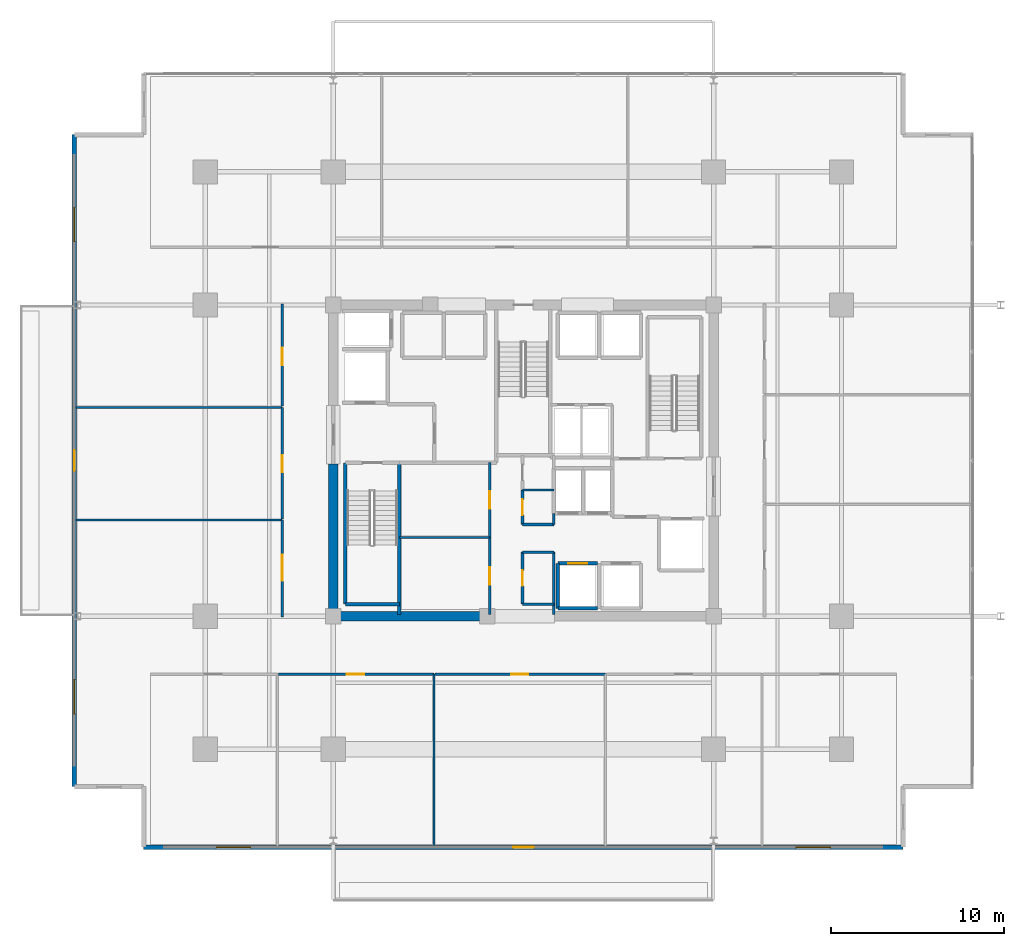
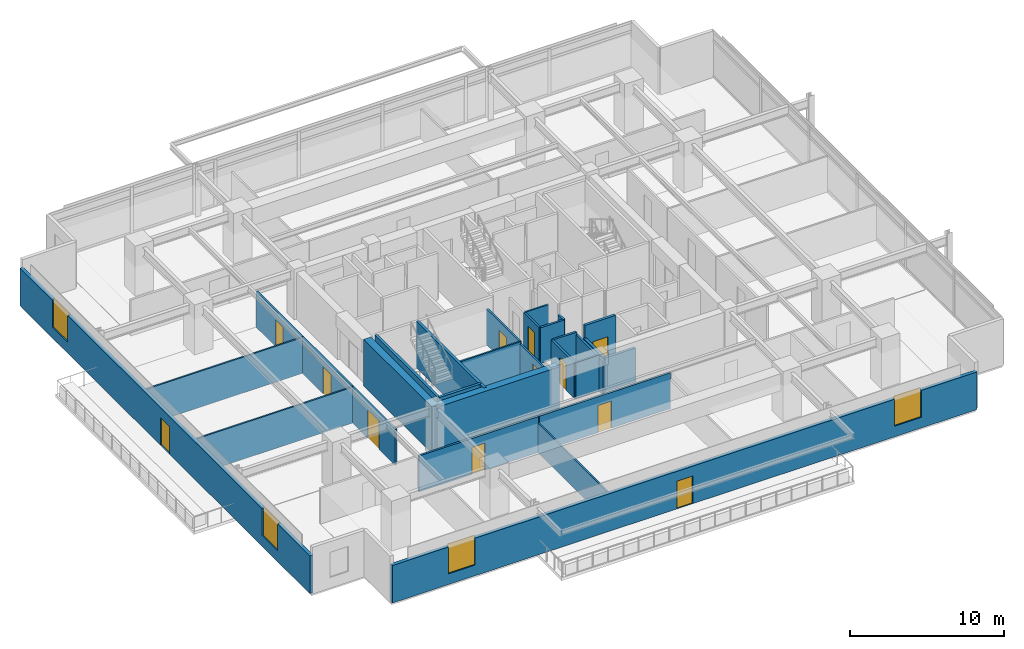
# One storey, part 14 of 22: 29 walls, 12 doors, 4 windows, 16 openings.
"""IFC4 building model written with IfcOpenShell, lengths in metres."""

from ifc_helpers import new_model, si_unit, direction, frame, frame_2d, origin, place, context, subcontext, project, spatial, rectangle, extrude, material, layer, layer_set, type_object, element, fill, save


model = new_model("IFC4")

# Units and contexts
model_context = context("Model", 3, precision=1e-05, world=origin(), true_north=direction((0.0, 1.0)))
body_context = subcontext(model_context, "Body", "Model", "MODEL_VIEW")
ifc_project = project(units=[si_unit("LENGTHUNIT", "METRE"), si_unit("AREAUNIT", "SQUARE_METRE"), si_unit("VOLUMEUNIT", "CUBIC_METRE"), si_unit("PLANEANGLEUNIT", "RADIAN"), si_unit("MASSUNIT", "GRAM", prefix="KILO")], contexts=[model_context])

# Site, building, storey
site_placement = place(None, origin())
site = spatial("IfcSite", under=ifc_project, at=site_placement, CompositionType="ELEMENT")
building_placement = place(site_placement, origin())
building = spatial("IfcBuilding", under=site, at=building_placement, Name="Kovane Verandah Tower", CompositionType="ELEMENT")
storey_placement = place(building_placement, frame((0.0, 0.0, 229.199951171875)))
storey = spatial("IfcBuildingStorey", under=building, at=storey_placement, Name="L53", CompositionType="ELEMENT", Elevation=229.199951171875)

# Walls
ifc_material_1 = material(Name="Fire-Rated Gypsum Stud Partition", Category="gypsum")
ifc_layer_1 = layer(ifc_material_1, 0.14990234375)
ifc_layer_set_1 = layer_set([ifc_layer_1], Name="Fire-Rated Gypsum Stud Partition")
wall_type_1 = type_object("IfcWallType", Name="WL-COR-150", PredefinedType="PARTITIONING", material=ifc_layer_set_1)
for number, where, z_axis, x_axis, name in (
    (1, (39.949951171875, 19.199951171875, 0.0), (0.0, 0.0, 1.0), (1.0, 0.0, 0.0), "L53 Central Core Strip South Wall"),
    (2, (39.949951171875, 22.199951171875, 0.0), (0.0, 0.0, 1.0), (1.0, 0.0, 0.0), "L53 Core Cross-Passage South Wall"),
    (3, (39.949951171875, 23.800048828125, 0.0), (0.0, 0.0, 1.0), (1.0, 0.0, 0.0), "L53 Core Cross-Passage North Wall"),
):
    element("IfcWall", number, at=place(storey_placement, frame(where, z_axis=z_axis, x_axis=x_axis)), inside=storey, type_object=wall_type_1, Name=name, PredefinedType="PARTITIONING", context=body_context, shape_type="SweptSolid", body=[
        extrude(rectangle(XDim=1.81005859375, YDim=0.14990234375, at=frame_2d((0.905029296875, 0.0))), origin(), (0.0, 0.0, 1.0), 2.85009765625),
    ])
wall_1_placement = place(storey_placement, frame((41.760009765625, 18.60009765625, 0.0), z_axis=(0.0, 0.0, 1.0), x_axis=(0.0, 1.0, 0.0)))
element("IfcWall", 4, at=wall_1_placement, inside=storey, type_object=wall_type_1, Name="L53 Central Core Strip Lower East Wall", PredefinedType="PARTITIONING", context=body_context, shape_type="SweptSolid", body=[
    extrude(rectangle(XDim=3.599853515625, YDim=0.14990234375, at=frame_2d((1.7998046875, 0.0))), origin(), (0.0, 0.0, 1.0), 2.679931640625),
])
wall_2_placement = place(storey_placement, frame((41.760009765625, 23.800048828125, 0.0), z_axis=(0.0, 0.0, 1.0), x_axis=(0.0, 1.0, 0.0)))
element("IfcWall", 5, at=wall_2_placement, inside=storey, type_object=wall_type_1, Name="L53 Central Core Strip Middle East Wall", PredefinedType="PARTITIONING", context=body_context, shape_type="SweptSolid", body=[
    extrude(rectangle(XDim=0.64990234375, YDim=0.14990234375, at=frame_2d((0.324951171875, 0.0))), origin(), (0.0, 0.0, 1.0), 2.85009765625),
])

# Wall, opening, door
wall_3_placement = place(storey_placement, frame((39.949951171875, 19.199951171875, 0.0), z_axis=(0.0, 0.0, 1.0), x_axis=(0.0, 1.0, 0.0)))
wall_3 = element("IfcWall", 6, at=wall_3_placement, inside=storey, type_object=wall_type_1, Name="L53 Male Toilet Partition", PredefinedType="PARTITIONING", context=body_context, shape_type="SweptSolid", body=[
    extrude(rectangle(XDim=3.0, YDim=0.14990234375, at=frame_2d((1.5, 0.0))), origin(), (0.0, 0.0, 1.0), 2.85009765625),
])
opening_1_placement = place(wall_3_placement, frame((1.050048828125, 0.0, 0.0)))
opening_1 = element("IfcOpeningElement", 7, at=opening_1_placement, cuts=wall_3, Name="Opening DR-L53-028", PredefinedType="OPENING", context=body_context, shape_type="SweptSolid", body=[
    extrude(rectangle(XDim=0.89990234375, YDim=2.10009765625, at=frame_2d((0.449951171875, 1.050048828125))), frame((0.0, 0.074951171875, 0.0), z_axis=(0.0, -1.0, 0.0), x_axis=(1.0, 0.0, 0.0)), (0.0, 0.0, 1.0), 0.14990234375),
])
ifc_material_2 = material(Name="Moisture-Resistant Laminate Washroom Door", Category="wood")
door_type_1 = type_object("IfcDoorType", Name="DR-WC-900", OperationType="SINGLE_SWING_LEFT", PredefinedType="DOOR", material=ifc_material_2)
door_1_placement = place(opening_1_placement, origin())
door_1 = element("IfcDoor", 8, at=door_1_placement, inside=storey, type_object=door_type_1, Name="L53 Male Toilet Door", OperationType="SINGLE_SWING_RIGHT", OverallHeight=2.10009765625, OverallWidth=0.89990234375, PredefinedType="DOOR", context=body_context, shape_type="SweptSolid", body=[
    extrude(rectangle(XDim=0.89990234375, YDim=2.10009765625, at=frame_2d((0.449951171875, 1.050048828125))), frame((0.0, 0.02490234375, 0.0), z_axis=(0.0, -1.0, 0.0), x_axis=(1.0, 0.0, 0.0)), (0.0, 0.0, 1.0), 0.050048828125),
])
fill(opening_1, door_1)

wall_4_placement = place(storey_placement, frame((39.949951171875, 23.800048828125, 0.0), z_axis=(0.0, 0.0, 1.0), x_axis=(0.0, 1.0, 0.0)))
wall_4 = element("IfcWall", 9, at=wall_4_placement, inside=storey, type_object=wall_type_1, Name="L53 Female Toilet Partition", PredefinedType="PARTITIONING", context=body_context, shape_type="SweptSolid", body=[
    extrude(rectangle(XDim=2.0, YDim=0.14990234375, at=frame_2d((1.0, 0.0))), origin(), (0.0, 0.0, 1.0), 2.85009765625),
])
opening_2_placement = place(wall_4_placement, frame((0.550048828125, 0.0, 0.0)))
opening_2 = element("IfcOpeningElement", 10, at=opening_2_placement, cuts=wall_4, Name="Opening DR-L53-027", PredefinedType="OPENING", context=body_context, shape_type="SweptSolid", body=[
    extrude(rectangle(XDim=0.89990234375, YDim=2.10009765625, at=frame_2d((0.449951171875, 1.050048828125))), frame((0.0, 0.074951171875, 0.0), z_axis=(0.0, -1.0, 0.0), x_axis=(1.0, 0.0, 0.0)), (0.0, 0.0, 1.0), 0.14990234375),
])
door_2_placement = place(opening_2_placement, origin())
door_2 = element("IfcDoor", 11, at=door_2_placement, inside=storey, type_object=door_type_1, Name="L53 Female Toilet Door", OperationType="SINGLE_SWING_LEFT", OverallHeight=2.10009765625, OverallWidth=0.89990234375, PredefinedType="DOOR", context=body_context, shape_type="SweptSolid", body=[
    extrude(rectangle(XDim=0.89990234375, YDim=2.10009765625, at=frame_2d((0.449951171875, 1.050048828125))), frame((0.0, 0.02490234375, 0.0), z_axis=(0.0, -1.0, 0.0), x_axis=(1.0, 0.0, 0.0)), (0.0, 0.0, 1.0), 0.050048828125),
])
fill(opening_2, door_2)

wall_5_placement = place(storey_placement, frame((38.050048828125, 18.60009765625, 0.0), z_axis=(0.0, 0.0, 1.0), x_axis=(0.0, 1.0, 0.0)))
wall_5 = element("IfcWall", 12, at=wall_5_placement, inside=storey, type_object=wall_type_1, Name="L53 IT Server Room Partition", PredefinedType="PARTITIONING", context=body_context, shape_type="SweptSolid", body=[
    extrude(rectangle(XDim=4.4599609375, YDim=0.14990234375, at=frame_2d((2.22998046875, 0.0))), origin(), (0.0, 0.0, 1.0), 2.679931640625),
])
opening_3_placement = place(wall_5_placement, frame((1.72998046875, 0.0, 0.0)))
opening_3 = element("IfcOpeningElement", 13, at=opening_3_placement, cuts=wall_5, Name="Opening DR-L53-014", PredefinedType="OPENING", context=body_context, shape_type="SweptSolid", body=[
    extrude(rectangle(XDim=1.0, YDim=2.14990234375, at=frame_2d((0.5, 1.074951171875))), frame((0.0, 0.074951171875, 0.0), z_axis=(0.0, -1.0, 0.0), x_axis=(1.0, 0.0, 0.0)), (0.0, 0.0, 1.0), 0.14990234375),
])
ifc_material_3 = material(Name="FSC Spotted-Gum Timber Fire-Rated Office Door", Category="wood")
door_type_2 = type_object("IfcDoorType", Name="DR-OFF-1000", OperationType="SINGLE_SWING_LEFT", PredefinedType="DOOR", material=ifc_material_3)
door_3_placement = place(opening_3_placement, origin())
door_3 = element("IfcDoor", 14, at=door_3_placement, inside=storey, type_object=door_type_2, Name="L53 IT Server Room Door", OperationType="SINGLE_SWING_LEFT", OverallHeight=2.14990234375, OverallWidth=1.0, PredefinedType="DOOR", context=body_context, shape_type="SweptSolid", body=[
    extrude(rectangle(XDim=1.0, YDim=2.14990234375, at=frame_2d((0.5, 1.074951171875))), frame((0.0, 0.02490234375, 0.0), z_axis=(0.0, -1.0, 0.0), x_axis=(1.0, 0.0, 0.0)), (0.0, 0.0, 1.0), 0.050048828125),
])
fill(opening_3, door_3)

wall_6_placement = place(storey_placement, frame((38.050048828125, 23.06005859375, 0.0), z_axis=(0.0, 0.0, 1.0), x_axis=(0.0, 1.0, 0.0)))
wall_6 = element("IfcWall", 15, at=wall_6_placement, inside=storey, type_object=wall_type_1, Name="L53 Telecom MDF Room Partition", PredefinedType="PARTITIONING", context=body_context, shape_type="SweptSolid", body=[
    extrude(rectangle(XDim=4.31982421875, YDim=0.14990234375, at=frame_2d((2.159912109375, 0.0))), origin(), (0.0, 0.0, 1.0), 2.85009765625),
])
opening_4_placement = place(wall_6_placement, frame((1.659912109375, 0.0, 0.0)))
opening_4 = element("IfcOpeningElement", 16, at=opening_4_placement, cuts=wall_6, Name="Opening DR-L53-015", PredefinedType="OPENING", context=body_context, shape_type="SweptSolid", body=[
    extrude(rectangle(XDim=1.0, YDim=2.14990234375, at=frame_2d((0.5, 1.074951171875))), frame((0.0, 0.074951171875, 0.0), z_axis=(0.0, -1.0, 0.0), x_axis=(1.0, 0.0, 0.0)), (0.0, 0.0, 1.0), 0.14990234375),
])
door_4_placement = place(opening_4_placement, origin())
door_4 = element("IfcDoor", 17, at=door_4_placement, inside=storey, type_object=door_type_2, Name="L53 Telecom MDF Room Door", OperationType="SINGLE_SWING_RIGHT", OverallHeight=2.14990234375, OverallWidth=1.0, PredefinedType="DOOR", context=body_context, shape_type="SweptSolid", body=[
    extrude(rectangle(XDim=1.0, YDim=2.14990234375, at=frame_2d((0.5, 1.074951171875))), frame((0.0, 0.02490234375, 0.0), z_axis=(0.0, -1.0, 0.0), x_axis=(1.0, 0.0, 0.0)), (0.0, 0.0, 1.0), 0.050048828125),
])
fill(opening_4, door_4)

wall_7_placement = place(storey_placement, frame((25.834228515625, 15.14990234375, 0.0), z_axis=(0.0, 0.0, 1.0), x_axis=(1.0, 0.0, 0.0)))
wall_7 = element("IfcWall", 18, at=wall_7_placement, inside=storey, type_object=wall_type_1, Name="L53 Collaboration Hub S2 Corridor Partition", PredefinedType="PARTITIONING", context=body_context, shape_type="SweptSolid", body=[
    extrude(rectangle(XDim=8.9892578125, YDim=0.14990234375, at=frame_2d((4.49462890625, 0.0))), origin(), (0.0, 0.0, 1.0), 2.85009765625),
])
opening_5_placement = place(wall_7_placement, frame((3.959716796875, 0.0, 0.0)))
opening_5 = element("IfcOpeningElement", 19, at=opening_5_placement, cuts=wall_7, Name="Opening DR-L53-022", PredefinedType="OPENING", context=body_context, shape_type="SweptSolid", body=[
    extrude(rectangle(XDim=1.0, YDim=2.14990234375, at=frame_2d((0.5, 1.074951171875))), frame((0.0, 0.074951171875, 0.0), z_axis=(0.0, -1.0, 0.0), x_axis=(1.0, 0.0, 0.0)), (0.0, 0.0, 1.0), 0.14990234375),
])
door_5_placement = place(opening_5_placement, origin())
door_5 = element("IfcDoor", 20, at=door_5_placement, inside=storey, type_object=door_type_2, Name="L53 Collaboration Hub S2 Entrance Door", OperationType="SINGLE_SWING_LEFT", OverallHeight=2.14990234375, OverallWidth=1.0, PredefinedType="DOOR", context=body_context, shape_type="SweptSolid", body=[
    extrude(rectangle(XDim=1.0, YDim=2.14990234375, at=frame_2d((0.5, 1.074951171875))), frame((0.0, 0.02490234375, 0.0), z_axis=(0.0, -1.0, 0.0), x_axis=(1.0, 0.0, 0.0)), (0.0, 0.0, 1.0), 0.050048828125),
])
fill(opening_5, door_5)

wall_8_placement = place(storey_placement, frame((34.893310546875, 15.14990234375, 0.0), z_axis=(0.0, 0.0, 1.0), x_axis=(1.0, 0.0, 0.0)))
wall_8 = element("IfcWall", 21, at=wall_8_placement, inside=storey, type_object=wall_type_1, Name="L53 Document and Print Room S3 Corridor Partition", PredefinedType="PARTITIONING", context=body_context, shape_type="SweptSolid", body=[
    extrude(rectangle(XDim=9.851806640625, YDim=0.14990234375, at=frame_2d((4.92578125, 0.0))), origin(), (0.0, 0.0, 1.0), 2.85009765625),
])
opening_6_placement = place(wall_8_placement, frame((4.390869140625, 0.0, 0.0)))
opening_6 = element("IfcOpeningElement", 22, at=opening_6_placement, cuts=wall_8, Name="Opening DR-L53-023", PredefinedType="OPENING", context=body_context, shape_type="SweptSolid", body=[
    extrude(rectangle(XDim=1.0, YDim=2.14990234375, at=frame_2d((0.5, 1.074951171875))), frame((0.0, 0.074951171875, 0.0), z_axis=(0.0, -1.0, 0.0), x_axis=(1.0, 0.0, 0.0)), (0.0, 0.0, 1.0), 0.14990234375),
])
door_6_placement = place(opening_6_placement, origin())
door_6 = element("IfcDoor", 23, at=door_6_placement, inside=storey, type_object=door_type_2, Name="L53 Document and Print Room S3 Entrance Door", OperationType="SINGLE_SWING_RIGHT", OverallHeight=2.14990234375, OverallWidth=1.0, PredefinedType="DOOR", context=body_context, shape_type="SweptSolid", body=[
    extrude(rectangle(XDim=1.0, YDim=2.14990234375, at=frame_2d((0.5, 1.074951171875))), frame((0.0, 0.02490234375, 0.0), z_axis=(0.0, -1.0, 0.0), x_axis=(1.0, 0.0, 0.0)), (0.0, 0.0, 1.0), 0.050048828125),
])
fill(opening_6, door_6)

wall_9_placement = place(storey_placement, frame((26.050048828125, 18.449951171875, 0.0), z_axis=(0.0, 0.0, 1.0), x_axis=(0.0, 1.0, 0.0)))
wall_9 = element("IfcWall", 24, at=wall_9_placement, inside=storey, type_object=wall_type_1, Name="L53 Client Boardroom W1 Corridor Partition", PredefinedType="PARTITIONING", context=body_context, shape_type="SweptSolid", body=[
    extrude(rectangle(XDim=5.611083984375, YDim=0.14990234375, at=frame_2d((2.8056640625, 0.0))), origin(), (0.0, 0.0, 1.0), 2.85009765625),
])
opening_7_placement = place(wall_9_placement, frame((2.095458984375, 0.0, 0.0)))
opening_7 = element("IfcOpeningElement", 25, at=opening_7_placement, cuts=wall_9, Name="Opening DR-L53-029", PredefinedType="OPENING", context=body_context, shape_type="SweptSolid", body=[
    extrude(rectangle(XDim=1.5, YDim=2.25, at=frame_2d((0.75, 1.125))), frame((0.0, 0.074951171875, 0.0), z_axis=(0.0, -1.0, 0.0), x_axis=(1.0, 0.0, 0.0)), (0.0, 0.0, 1.0), 0.14990234375),
])
ifc_material_4 = material(Name="Glazed Timber Fire-Rated Double Door", Category="wood")
door_type_3 = type_object("IfcDoorType", Name="DR-CONF-1500", OperationType="DOUBLE_DOOR_SINGLE_SWING", PredefinedType="DOOR", material=ifc_material_4)
door_7_placement = place(opening_7_placement, origin())
door_7 = element("IfcDoor", 26, at=door_7_placement, inside=storey, type_object=door_type_3, Name="L53 Client Boardroom W1 Entrance Door", OperationType="DOUBLE_DOOR_SINGLE_SWING", OverallHeight=2.25, OverallWidth=1.5, PredefinedType="DOOR", context=body_context, shape_type="SweptSolid", body=[
    extrude(rectangle(XDim=1.5, YDim=2.25, at=frame_2d((0.75, 1.125))), frame((0.0, 0.02490234375, 0.0), z_axis=(0.0, -1.0, 0.0), x_axis=(1.0, 0.0, 0.0)), (0.0, 0.0, 1.0), 0.050048828125),
])
fill(opening_7, door_7)

wall_10_placement = place(storey_placement, frame((26.050048828125, 24.131103515625, 0.0), z_axis=(0.0, 0.0, 1.0), x_axis=(0.0, 1.0, 0.0)))
wall_10 = element("IfcWall", 27, at=wall_10_placement, inside=storey, type_object=wall_type_1, Name="L53 Meeting Room W2 Corridor Partition", PredefinedType="PARTITIONING", context=body_context, shape_type="SweptSolid", body=[
    extrude(rectangle(XDim=6.44580078125, YDim=0.14990234375, at=frame_2d((3.222900390625, 0.0))), origin(), (0.0, 0.0, 1.0), 2.85009765625),
])
opening_8_placement = place(wall_10_placement, frame((2.68798828125, 0.0, 0.0)))
opening_8 = element("IfcOpeningElement", 28, at=opening_8_placement, cuts=wall_10, Name="Opening DR-L53-030", PredefinedType="OPENING", context=body_context, shape_type="SweptSolid", body=[
    extrude(rectangle(XDim=1.0, YDim=2.14990234375, at=frame_2d((0.5, 1.074951171875))), frame((0.0, 0.074951171875, 0.0), z_axis=(0.0, -1.0, 0.0), x_axis=(1.0, 0.0, 0.0)), (0.0, 0.0, 1.0), 0.14990234375),
])
door_8_placement = place(opening_8_placement, origin())
door_8 = element("IfcDoor", 29, at=door_8_placement, inside=storey, type_object=door_type_2, Name="L53 Meeting Room W2 Entrance Door", OperationType="SINGLE_SWING_RIGHT", OverallHeight=2.14990234375, OverallWidth=1.0, PredefinedType="DOOR", context=body_context, shape_type="SweptSolid", body=[
    extrude(rectangle(XDim=1.0, YDim=2.14990234375, at=frame_2d((0.5, 1.074951171875))), frame((0.0, 0.02490234375, 0.0), z_axis=(0.0, -1.0, 0.0), x_axis=(1.0, 0.0, 0.0)), (0.0, 0.0, 1.0), 0.050048828125),
])
fill(opening_8, door_8)

wall_11_placement = place(storey_placement, frame((26.050048828125, 30.64697265625, 0.0), z_axis=(0.0, 0.0, 1.0), x_axis=(0.0, 1.0, 0.0)))
wall_11 = element("IfcWall", 30, at=wall_11_placement, inside=storey, type_object=wall_type_1, Name="L53 Focus Studio W3 Corridor Partition", PredefinedType="PARTITIONING", context=body_context, shape_type="SweptSolid", body=[
    extrude(rectangle(XDim=5.903076171875, YDim=0.14990234375, at=frame_2d((2.95166015625, 0.0))), origin(), (0.0, 0.0, 1.0), 2.85009765625),
])
opening_9_placement = place(wall_11_placement, frame((2.37646484375, 0.0, 0.0)))
opening_9 = element("IfcOpeningElement", 31, at=opening_9_placement, cuts=wall_11, Name="Opening DR-L53-031", PredefinedType="OPENING", context=body_context, shape_type="SweptSolid", body=[
    extrude(rectangle(XDim=1.0, YDim=2.14990234375, at=frame_2d((0.5, 1.074951171875))), frame((0.0, 0.074951171875, 0.0), z_axis=(0.0, -1.0, 0.0), x_axis=(1.0, 0.0, 0.0)), (0.0, 0.0, 1.0), 0.14990234375),
])
door_9_placement = place(opening_9_placement, origin())
door_9 = element("IfcDoor", 32, at=door_9_placement, inside=storey, type_object=door_type_2, Name="L53 Focus Studio W3 Entrance Door", OperationType="SINGLE_SWING_LEFT", OverallHeight=2.14990234375, OverallWidth=1.0, PredefinedType="DOOR", context=body_context, shape_type="SweptSolid", body=[
    extrude(rectangle(XDim=1.0, YDim=2.14990234375, at=frame_2d((0.5, 1.074951171875))), frame((0.0, 0.02490234375, 0.0), z_axis=(0.0, -1.0, 0.0), x_axis=(1.0, 0.0, 0.0)), (0.0, 0.0, 1.0), 0.050048828125),
])
fill(opening_9, door_9)

# Walls
ifc_material_5 = material(Name="Concrete C60/75", Category="concrete")
ifc_layer_2 = layer(ifc_material_5, 0.550048828125)
ifc_layer_set_2 = layer_set([ifc_layer_2], Name="Concrete C60/75")
wall_type_2 = type_object("IfcWallType", Name="WL-CORE-550", PredefinedType="SHEAR", material=ifc_layer_set_2)
wall_12_placement = place(storey_placement, frame((29.0, 18.5, 0.0), z_axis=(0.0, 0.0, 1.0), x_axis=(1.0, 0.0, 0.0)))
element("IfcWall", 33, at=wall_12_placement, inside=storey, type_object=wall_type_2, Name="L53 Core Shear Wall CS-1", PredefinedType="SHEAR", context=body_context, shape_type="SweptSolid", body=[
    extrude(rectangle(XDim=9.199951171875, YDim=0.550048828125, at=frame_2d((4.60009765625, 0.0))), origin(), (0.0, 0.0, 1.0), 3.699951171875),
])
wall_13_placement = place(storey_placement, frame((29.0, 18.5, 0.0), z_axis=(0.0, 0.0, 1.0), x_axis=(0.0, 1.0, 0.0)))
element("IfcWall", 34, at=wall_13_placement, inside=storey, type_object=wall_type_2, Name="L53 Core Shear Wall CW-1", PredefinedType="SHEAR", context=body_context, shape_type="SweptSolid", body=[
    extrude(rectangle(XDim=8.800048828125, YDim=0.550048828125, at=frame_2d((4.39990234375, 0.0))), origin(), (0.0, 0.0, 1.0), 3.699951171875),
])
ifc_material_6 = material(Name="Concrete C45/55 Lift Shaft Wall", Category="concrete")
ifc_layer_3 = layer(ifc_material_6, 0.199951171875)
ifc_layer_set_3 = layer_set([ifc_layer_3], Name="Concrete C45/55 Lift Shaft Wall")
wall_type_3 = type_object("IfcWallType", Name="WL-LIFT-200", PredefinedType="SOLIDWALL", material=ifc_layer_set_3)
wall_14_placement = place(storey_placement, frame((42.0, 18.949951171875, 0.0), z_axis=(0.0, 0.0, 1.0), x_axis=(1.0, 0.0, 0.0)))
element("IfcWall", 35, at=wall_14_placement, inside=storey, type_object=wall_type_3, Name="L53 Lift PL-M1 S Shaft Wall", PredefinedType="SOLIDWALL", context=body_context, shape_type="SweptSolid", body=[
    extrude(rectangle(XDim=2.300048828125, YDim=0.199951171875, at=frame_2d((1.14990234375, 0.0))), origin(), (0.0, 0.0, 1.0), 2.679931640625),
])

# Wall, opening, door
wall_15_placement = place(storey_placement, frame((44.300048828125, 21.550048828125, 0.0), z_axis=(0.0, 0.0, 1.0), x_axis=(-1.0, 0.0, 0.0)))
wall_15 = element("IfcWall", 36, at=wall_15_placement, inside=storey, type_object=wall_type_3, Name="L53 Lift PL-M1 N Shaft Wall", PredefinedType="SOLIDWALL", context=body_context, shape_type="SweptSolid", body=[
    extrude(rectangle(XDim=2.300048828125, YDim=0.199951171875, at=frame_2d((1.14990234375, 0.0))), origin(), (0.0, 0.0, 1.0), 3.699951171875),
])
opening_10_placement = place(wall_15_placement, frame((0.60009765625, 0.0, 0.0)))
opening_10 = element("IfcOpeningElement", 37, at=opening_10_placement, cuts=wall_15, Name="Opening LD-L53-004", PredefinedType="OPENING", context=body_context, shape_type="SweptSolid", body=[
    extrude(rectangle(XDim=1.10009765625, YDim=2.199951171875, at=frame_2d((0.550048828125, 1.10009765625))), frame((0.0, 0.10009765625, 0.0), z_axis=(0.0, -1.0, 0.0), x_axis=(1.0, 0.0, 0.0)), (0.0, 0.0, 1.0), 0.199951171875),
])
ifc_material_7 = material(Name="Brushed Stainless Steel Sliding Lift Landing Door", Category="steel")
door_type_4 = type_object("IfcDoorType", Name="DR-LIFT-1100", OperationType="SLIDING_TO_RIGHT", PredefinedType="DOOR", material=ifc_material_7)
door_10_placement = place(opening_10_placement, origin())
door_10 = element("IfcDoor", 38, at=door_10_placement, inside=storey, type_object=door_type_4, Name="L53 Lift PL-M1 Sliding Landing Door", OperationType="SLIDING_TO_RIGHT", OverallHeight=2.199951171875, OverallWidth=1.10009765625, PredefinedType="DOOR", context=body_context, shape_type="SweptSolid", body=[
    extrude(rectangle(XDim=1.10009765625, YDim=2.199951171875, at=frame_2d((0.550048828125, 1.10009765625))), frame((0.0, 0.02490234375, 0.0), z_axis=(0.0, -1.0, 0.0), x_axis=(1.0, 0.0, 0.0)), (0.0, 0.0, 1.0), 0.050048828125),
])
fill(opening_10, door_10)

# Walls
wall_16_placement = place(storey_placement, frame((42.0, 21.550048828125, 0.0), z_axis=(0.0, 0.0, 1.0), x_axis=(0.0, -1.0, 0.0)))
element("IfcWall", 39, at=wall_16_placement, inside=storey, type_object=wall_type_3, Name="L53 Lift PL-M1 W Shaft Wall", PredefinedType="SOLIDWALL", context=body_context, shape_type="SweptSolid", body=[
    extrude(rectangle(XDim=2.60009765625, YDim=0.199951171875, at=frame_2d((1.300048828125, 0.0))), origin(), (0.0, 0.0, 1.0), 2.679931640625),
])
ifc_material_8 = material(Name="Acoustic Fire-Rated Gypsum Partition", Category="gypsum")
ifc_layer_4 = layer(ifc_material_8, 0.1201171875)
ifc_layer_set_4 = layer_set([ifc_layer_4], Name="Acoustic Fire-Rated Gypsum Partition")
wall_type_4 = type_object("IfcWallType", Name="WL-PART-120", PredefinedType="PARTITIONING", material=ifc_layer_set_4)
wall_17_placement = place(storey_placement, frame((39.949951171875, 25.800048828125, 0.0), z_axis=(0.0, 0.0, 1.0), x_axis=(1.0, 0.0, 0.0)))
element("IfcWall", 40, at=wall_17_placement, inside=storey, type_object=wall_type_4, Name="L53 Central Core Strip Upper Dividing Partition", PredefinedType="PARTITIONING", context=body_context, shape_type="SweptSolid", body=[
    extrude(rectangle(XDim=1.81005859375, YDim=0.1201171875, at=frame_2d((0.905029296875, 0.0))), origin(), (0.0, 0.0, 1.0), 2.85009765625),
])
wall_18_placement = place(storey_placement, frame((32.820068359375, 23.06005859375, 0.0), z_axis=(0.0, 0.0, 1.0), x_axis=(1.0, 0.0, 0.0)))
element("IfcWall", 41, at=wall_18_placement, inside=storey, type_object=wall_type_4, Name="L53 Core Support Dividing Partition", PredefinedType="PARTITIONING", context=body_context, shape_type="SweptSolid", body=[
    extrude(rectangle(XDim=5.22998046875, YDim=0.1201171875, at=frame_2d((2.614990234375, 0.0))), origin(), (0.0, 0.0, 1.0), 2.85009765625),
])
wall_19_placement = place(storey_placement, frame((34.823486328125, 5.239990234375, 0.0), z_axis=(0.0, 0.0, 1.0), x_axis=(0.0, 1.0, 0.0)))
element("IfcWall", 42, at=wall_19_placement, inside=storey, type_object=wall_type_4, Name="L53 Collaboration Hub S2 Dividing Partition", PredefinedType="PARTITIONING", context=body_context, shape_type="SweptSolid", body=[
    extrude(rectangle(XDim=9.909912109375, YDim=0.1201171875, at=frame_2d((4.955078125, 0.0))), origin(), (0.0, 0.0, 1.0), 2.330078125),
])
for number, where, z_axis, x_axis, name in (
    (43, (14.130615234375, 24.06103515625, 0.0), (0.0, 0.0, 1.0), (1.0, 0.0, 0.0), "L53 Client Boardroom W1 Dividing Partition"),
    (44, (14.130615234375, 30.576904296875, 0.0), (0.0, 0.0, 1.0), (1.0, 0.0, 0.0), "L53 Meeting Room W2 Dividing Partition"),
):
    element("IfcWall", number, at=place(storey_placement, frame(where, z_axis=z_axis, x_axis=x_axis)), inside=storey, type_object=wall_type_4, Name=name, PredefinedType="PARTITIONING", context=body_context, shape_type="SweptSolid", body=[
        extrude(rectangle(XDim=11.91943359375, YDim=0.1201171875, at=frame_2d((5.959716796875, 0.0))), origin(), (0.0, 0.0, 1.0), 2.85009765625),
    ])
ifc_material_9 = material(Name="Concrete C45/55", Category="concrete")
ifc_layer_5 = layer(ifc_material_9, 0.199951171875)
ifc_layer_set_5 = layer_set([ifc_layer_5], Name="Concrete C45/55")
wall_type_5 = type_object("IfcWallType", Name="WL-SHAFT-200", PredefinedType="SOLIDWALL", material=ifc_layer_set_5)
wall_20_placement = place(storey_placement, frame((29.699951171875, 19.199951171875, 0.0), z_axis=(0.0, 0.0, 1.0), x_axis=(0.0, 1.0, 0.0)))
element("IfcWall", 45, at=wall_20_placement, inside=storey, type_object=wall_type_5, Name="W-L53-ST01-W", PredefinedType="SOLIDWALL", context=body_context, shape_type="SweptSolid", body=[
    extrude(rectangle(XDim=8.150146484375, YDim=0.199951171875, at=frame_2d((4.0751953125, 0.0))), origin(), (0.0, 0.0, 1.0), 3.699951171875),
])
wall_21_placement = place(storey_placement, frame((29.699951171875, 19.199951171875, 0.0), z_axis=(0.0, 0.0, 1.0), x_axis=(1.0, 0.0, 0.0)))
element("IfcWall", 46, at=wall_21_placement, inside=storey, type_object=wall_type_5, Name="W-L53-ST01-S", PredefinedType="SOLIDWALL", context=body_context, shape_type="SweptSolid", body=[
    extrude(rectangle(XDim=3.1201171875, YDim=0.199951171875, at=frame_2d((1.56005859375, 0.0))), origin(), (0.0, 0.0, 1.0), 3.699951171875),
])
wall_22_placement = place(storey_placement, frame((32.820068359375, 18.60009765625, 0.0), z_axis=(0.0, 0.0, 1.0), x_axis=(0.0, 1.0, 0.0)))
element("IfcWall", 47, at=wall_22_placement, inside=storey, type_object=wall_type_5, Name="W-L53-ST01-E", PredefinedType="SOLIDWALL", context=body_context, shape_type="SweptSolid", body=[
    extrude(rectangle(XDim=8.77978515625, YDim=0.199951171875, at=frame_2d((4.389892578125, 0.0))), origin(), (0.0, 0.0, 1.0), 3.699951171875),
])

# Wall, openings, door, windows
ifc_material_10 = material(Name="Concrete C45/55 Insulated Spandrel Wall", Category="concrete")
ifc_layer_6 = layer(ifc_material_10, 0.260009765625)
ifc_layer_set_6 = layer_set([ifc_layer_6], Name="Concrete C45/55 Insulated Spandrel Wall")
wall_type_6 = type_object("IfcWallType", Name="WL-SPANDREL-260", PredefinedType="PARAPET", material=ifc_layer_set_6)
wall_23_placement = place(storey_placement, frame((18.03076171875, 5.139892578125, 0.0), z_axis=(0.0, 0.0, 1.0), x_axis=(1.0, 0.0, 0.0)))
wall_23 = element("IfcWall", 48, at=wall_23_placement, inside=storey, type_object=wall_type_6, Name="L53 S Verandah Access Facade Wall", PredefinedType="PARAPET", context=body_context, shape_type="SweptSolid", body=[
    extrude(rectangle(XDim=43.9384765625, YDim=0.260009765625, at=frame_2d((21.96923828125, 0.0))), origin(), (0.0, 0.0, 1.0), 2.987060546875),
])
opening_11_placement = place(wall_23_placement, frame((4.199951171875, 0.0, 0.85009765625)))
opening_11 = element("IfcOpeningElement", 49, at=opening_11_placement, cuts=wall_23, Name="Opening W-04", PredefinedType="OPENING", context=body_context, shape_type="SweptSolid", body=[
    extrude(rectangle(XDim=2.0, YDim=2.300048828125, at=frame_2d((1.0, 1.14990234375))), frame((0.0, 0.1298828125, 0.0), z_axis=(0.0, -1.0, 0.0), x_axis=(1.0, 0.0, 0.0)), (0.0, 0.0, 1.0), 0.260009765625),
])
opening_12_placement = place(wall_23_placement, frame((21.369384765625, 0.0, 0.0)))
opening_12 = element("IfcOpeningElement", 50, at=opening_12_placement, cuts=wall_23, Name="Opening DR-L53-001", PredefinedType="OPENING", context=body_context, shape_type="SweptSolid", body=[
    extrude(rectangle(XDim=1.199951171875, YDim=2.199951171875, at=frame_2d((0.60009765625, 1.10009765625))), frame((0.0, 0.1298828125, 0.0), z_axis=(0.0, -1.0, 0.0), x_axis=(1.0, 0.0, 0.0)), (0.0, 0.0, 1.0), 0.260009765625),
])
opening_13_placement = place(wall_23_placement, frame((37.738525390625, 0.0, 0.85009765625)))
opening_13 = element("IfcOpeningElement", 51, at=opening_13_placement, cuts=wall_23, Name="Opening W-04", PredefinedType="OPENING", context=body_context, shape_type="SweptSolid", body=[
    extrude(rectangle(XDim=2.0, YDim=2.300048828125, at=frame_2d((1.0, 1.14990234375))), frame((0.0, 0.1298828125, 0.0), z_axis=(0.0, -1.0, 0.0), x_axis=(1.0, 0.0, 0.0)), (0.0, 0.0, 1.0), 0.260009765625),
])
ifc_material_11 = material(Name="Cyclone-Rated Glazed Balcony Leaf Door", Category="aluminium")
door_type_5 = type_object("IfcDoorType", Name="DR-BAL-1200x2200", OperationType="SINGLE_SWING_LEFT", PredefinedType="DOOR", material=ifc_material_11)
door_11_placement = place(opening_12_placement, origin())
door_11 = element("IfcDoor", 52, at=door_11_placement, inside=storey, type_object=door_type_5, Name="L53 S Planted Balcony Access Door", OperationType="SINGLE_SWING_LEFT", OverallHeight=2.199951171875, OverallWidth=1.199951171875, PredefinedType="DOOR", context=body_context, shape_type="SweptSolid", body=[
    extrude(rectangle(XDim=1.199951171875, YDim=2.199951171875, at=frame_2d((0.60009765625, 1.10009765625))), frame((0.0, 0.02490234375, 0.0), z_axis=(0.0, -1.0, 0.0), x_axis=(1.0, 0.0, 0.0)), (0.0, 0.0, 1.0), 0.050048828125),
])
fill(opening_12, door_11)
ifc_material_12 = material(Name="Clear Low-E Laminated Double Glazing in Anodised Frame", Category="glass")
window_type = type_object("IfcWindowType", Name="WN-FIXED-2000x2300", PartitioningType="SINGLE_PANEL", PredefinedType="WINDOW", material=ifc_material_12)
window_1_placement = place(opening_11_placement, origin())
window_1 = element("IfcWindow", 53, at=window_1_placement, inside=storey, type_object=window_type, Name="L53 S Verandah View Window 1", OverallHeight=2.300048828125, OverallWidth=2.0, PartitioningType="SINGLE_PANEL", PredefinedType="WINDOW", context=body_context, shape_type="SweptSolid", body=[
    extrude(rectangle(XDim=2.0, YDim=2.300048828125, at=frame_2d((1.0, 1.14990234375))), frame((0.0, 0.030029296875, 0.0), z_axis=(0.0, -1.0, 0.0), x_axis=(1.0, 0.0, 0.0)), (0.0, 0.0, 1.0), 0.06005859375),
])
fill(opening_11, window_1)
window_2_placement = place(opening_13_placement, origin())
window_2 = element("IfcWindow", 54, at=window_2_placement, inside=storey, type_object=window_type, Name="L53 S Verandah View Window 2", OverallHeight=2.300048828125, OverallWidth=2.0, PartitioningType="SINGLE_PANEL", PredefinedType="WINDOW", context=body_context, shape_type="SweptSolid", body=[
    extrude(rectangle(XDim=2.0, YDim=2.300048828125, at=frame_2d((1.0, 1.14990234375))), frame((0.0, 0.030029296875, 0.0), z_axis=(0.0, -1.0, 0.0), x_axis=(1.0, 0.0, 0.0)), (0.0, 0.0, 1.0), 0.06005859375),
])
fill(opening_13, window_2)

wall_24_placement = place(storey_placement, frame((14.03076171875, 46.360107421875, 0.0), z_axis=(0.0, 0.0, 1.0), x_axis=(0.0, -1.0, 0.0)))
wall_24 = element("IfcWall", 55, at=wall_24_placement, inside=storey, type_object=wall_type_6, Name="L53 W Verandah Access Facade Wall", PredefinedType="PARAPET", context=body_context, shape_type="SweptSolid", body=[
    extrude(rectangle(XDim=37.72021484375, YDim=0.260009765625, at=frame_2d((18.860107421875, 0.0))), origin(), (0.0, 0.0, 1.0), 2.987060546875),
])
opening_14_placement = place(wall_24_placement, frame((4.199951171875, 0.0, 0.85009765625)))
opening_14 = element("IfcOpeningElement", 56, at=opening_14_placement, cuts=wall_24, Name="Opening W-04", PredefinedType="OPENING", context=body_context, shape_type="SweptSolid", body=[
    extrude(rectangle(XDim=2.0, YDim=2.300048828125, at=frame_2d((1.0, 1.14990234375))), frame((0.0, 0.1298828125, 0.0), z_axis=(0.0, -1.0, 0.0), x_axis=(1.0, 0.0, 0.0)), (0.0, 0.0, 1.0), 0.260009765625),
])
opening_15_placement = place(wall_24_placement, frame((18.260009765625, 0.0, 0.0)))
opening_15 = element("IfcOpeningElement", 57, at=opening_15_placement, cuts=wall_24, Name="Opening DR-L53-002", PredefinedType="OPENING", context=body_context, shape_type="SweptSolid", body=[
    extrude(rectangle(XDim=1.199951171875, YDim=2.199951171875, at=frame_2d((0.60009765625, 1.10009765625))), frame((0.0, 0.1298828125, 0.0), z_axis=(0.0, -1.0, 0.0), x_axis=(1.0, 0.0, 0.0)), (0.0, 0.0, 1.0), 0.260009765625),
])
opening_16_placement = place(wall_24_placement, frame((31.520263671875, 0.0, 0.85009765625)))
opening_16 = element("IfcOpeningElement", 58, at=opening_16_placement, cuts=wall_24, Name="Opening W-04", PredefinedType="OPENING", context=body_context, shape_type="SweptSolid", body=[
    extrude(rectangle(XDim=2.0, YDim=2.300048828125, at=frame_2d((1.0, 1.14990234375))), frame((0.0, 0.1298828125, 0.0), z_axis=(0.0, -1.0, 0.0), x_axis=(1.0, 0.0, 0.0)), (0.0, 0.0, 1.0), 0.260009765625),
])
door_12_placement = place(opening_15_placement, origin())
door_12 = element("IfcDoor", 59, at=door_12_placement, inside=storey, type_object=door_type_5, Name="L53 W Planted Balcony Access Door", OperationType="SINGLE_SWING_LEFT", OverallHeight=2.199951171875, OverallWidth=1.199951171875, PredefinedType="DOOR", context=body_context, shape_type="SweptSolid", body=[
    extrude(rectangle(XDim=1.199951171875, YDim=2.199951171875, at=frame_2d((0.60009765625, 1.10009765625))), frame((0.0, 0.02490234375, 0.0), z_axis=(0.0, -1.0, 0.0), x_axis=(1.0, 0.0, 0.0)), (0.0, 0.0, 1.0), 0.050048828125),
])
fill(opening_15, door_12)
window_3_placement = place(opening_14_placement, origin())
window_3 = element("IfcWindow", 60, at=window_3_placement, inside=storey, type_object=window_type, Name="L53 W Verandah View Window 1", OverallHeight=2.300048828125, OverallWidth=2.0, PartitioningType="SINGLE_PANEL", PredefinedType="WINDOW", context=body_context, shape_type="SweptSolid", body=[
    extrude(rectangle(XDim=2.0, YDim=2.300048828125, at=frame_2d((1.0, 1.14990234375))), frame((0.0, 0.030029296875, 0.0), z_axis=(0.0, -1.0, 0.0), x_axis=(1.0, 0.0, 0.0)), (0.0, 0.0, 1.0), 0.06005859375),
])
fill(opening_14, window_3)
window_4_placement = place(opening_16_placement, origin())
window_4 = element("IfcWindow", 61, at=window_4_placement, inside=storey, type_object=window_type, Name="L53 W Verandah View Window 2", OverallHeight=2.300048828125, OverallWidth=2.0, PartitioningType="SINGLE_PANEL", PredefinedType="WINDOW", context=body_context, shape_type="SweptSolid", body=[
    extrude(rectangle(XDim=2.0, YDim=2.300048828125, at=frame_2d((1.0, 1.14990234375))), frame((0.0, 0.030029296875, 0.0), z_axis=(0.0, -1.0, 0.0), x_axis=(1.0, 0.0, 0.0)), (0.0, 0.0, 1.0), 0.06005859375),
])
fill(opening_16, window_4)

save(model, "model.ifc")
